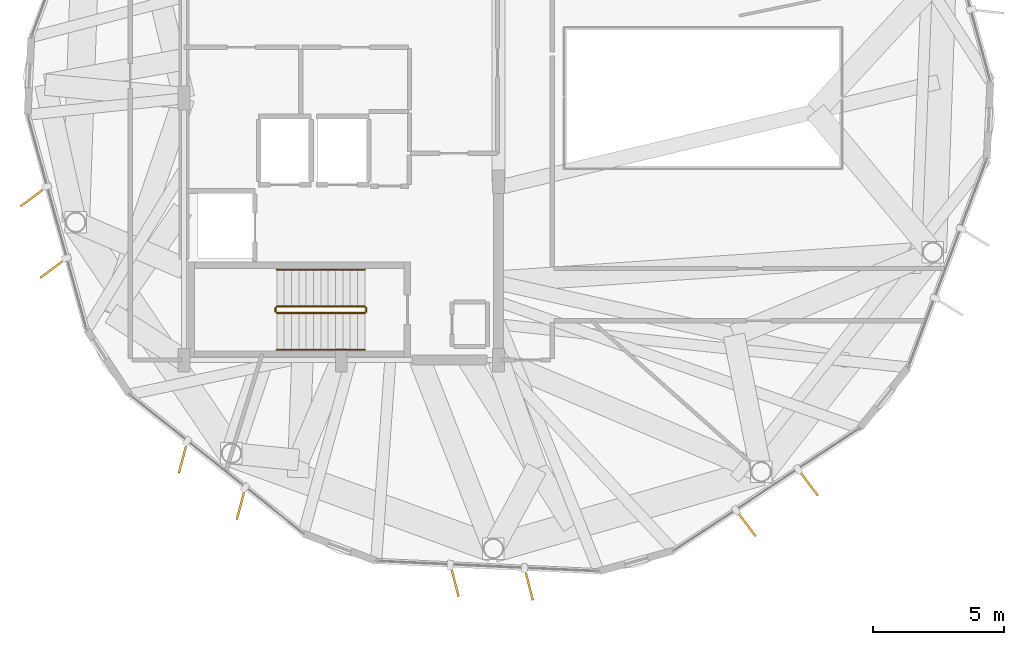
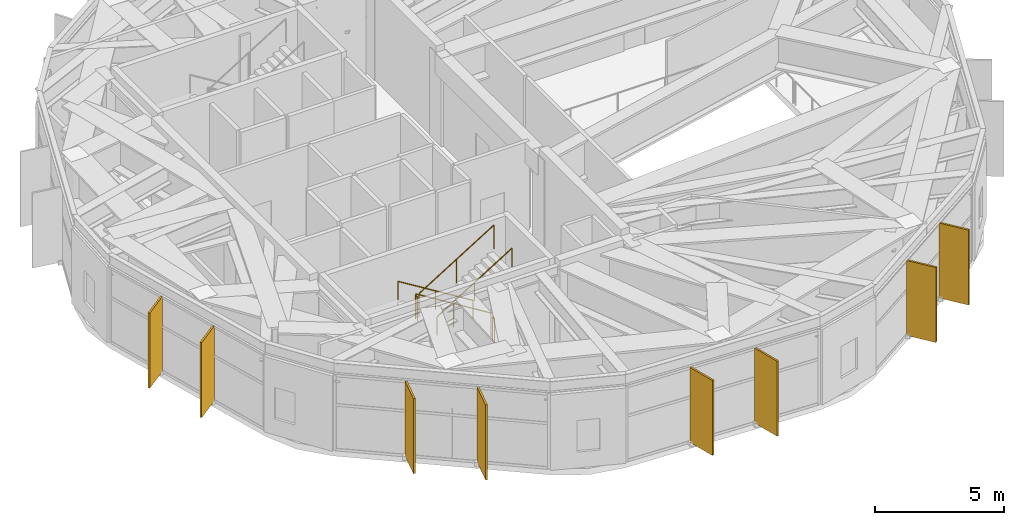
# One storey, part 25 of 27: 8 shading devices, 6 railings.
"""IFC4 building model written with IfcOpenShell, lengths in metres."""

from ifc_helpers import new_model, si_unit, direction, frame, origin, origin_2d, place, context, subcontext, project, spatial, rectangle, circle, extrude, material, layer, layer_set, type_object, element, save


model = new_model("IFC4")

# Units and contexts
model_context = context("Model", 3, precision=1e-05, world=origin(), true_north=direction((0.0, 1.0)))
body_context = subcontext(model_context, "Body", "Model", "MODEL_VIEW")
ifc_project = project(units=[si_unit("LENGTHUNIT", "METRE"), si_unit("AREAUNIT", "SQUARE_METRE"), si_unit("VOLUMEUNIT", "CUBIC_METRE"), si_unit("PLANEANGLEUNIT", "RADIAN"), si_unit("MASSUNIT", "GRAM", prefix="KILO")], contexts=[model_context])

# Site, building, storey
site_placement = place(None, origin())
site = spatial("IfcSite", under=ifc_project, at=site_placement, CompositionType="ELEMENT")
building_placement = place(site_placement, origin())
building = spatial("IfcBuilding", under=site, at=building_placement, Name="Soratama Intermodal Tower", CompositionType="ELEMENT")
storey_placement = place(building_placement, frame((0.0, 0.0, 288.550048828125)))
storey = spatial("IfcBuildingStorey", under=building, at=storey_placement, Name="L73", CompositionType="ELEMENT", Elevation=288.550048828125)

# Railings
ifc_material_1 = material(Name="Painted steel stair guardrail", Category="steel")
railing_type_1 = type_object("IfcRailingType", Name="RL-STAIR-GUARD", PredefinedType="GUARDRAIL", material=ifc_material_1)
railing_1_placement = place(storey_placement, frame((39.5, 17.050048828125, 0.173095703125)))
element("IfcRailing", 1, at=railing_1_placement, inside=storey, type_object=railing_type_1, Name="L73 ST-1 stair guard 1", PredefinedType="GUARDRAIL", context=body_context, shape_type="SweptSolid", body=[
    extrude(circle(Radius=0.02392578125, at=origin_2d()), frame((0.0, 0.0, 1.1259765625), z_axis=(-0.850623216509, 0.0, 0.525775754039), x_axis=(0.0, -1.0, 0.0)), (0.0, 0.0, 1.0), 3.9501953125),
    extrude(circle(Radius=0.02099609375, at=origin_2d()), origin(), (0.0, 0.0, 1.0), 1.101806640625),
    extrude(circle(Radius=0.02099609375, at=origin_2d()), frame((-1.68017578125, 0.0, 1.03857421875)), (0.0, 0.0, 1.0), 1.101806640625),
    extrude(circle(Radius=0.02099609375, at=origin_2d()), frame((-3.360107421875, 0.0, 2.076904296875)), (0.0, 0.0, 1.0), 1.101806640625),
])
railing_2_placement = place(storey_placement, frame((36.090087890625, 17.0, 2.25)))
element("IfcRailing", 2, at=railing_2_placement, inside=storey, type_object=railing_type_1, Name="L73 ST-1 stair guard 2", PredefinedType="GUARDRAIL", context=body_context, shape_type="SweptSolid", body=[
    extrude(circle(Radius=0.02392578125, at=origin_2d()), frame((0.0, 0.0, 1.1259765625), z_axis=(0.0, -1.0, 0.0), x_axis=(1.0, 0.0, 0.0)), (0.0, 0.0, 1.0), 0.14990234375),
    extrude(circle(Radius=0.02099609375, at=origin_2d()), origin(), (0.0, 0.0, 1.0), 1.101806640625),
    extrude(circle(Radius=0.02099609375, at=origin_2d()), frame((0.0, -0.14990234375, 0.0)), (0.0, 0.0, 1.0), 1.101806640625),
])
railing_3_placement = place(storey_placement, frame((36.139892578125, 16.800048828125, 2.423095703125)))
element("IfcRailing", 3, at=railing_3_placement, inside=storey, type_object=railing_type_1, Name="L73 ST-1 stair guard 3", PredefinedType="GUARDRAIL", context=body_context, shape_type="SweptSolid", body=[
    extrude(circle(Radius=0.02392578125, at=origin_2d()), frame((0.0, 0.0, 1.1259765625), z_axis=(0.850623216509, 0.0, 0.525775754039), x_axis=(0.0, 1.0, 0.0)), (0.0, 0.0, 1.0), 3.9501953125),
    extrude(circle(Radius=0.02099609375, at=origin_2d()), origin(), (0.0, 0.0, 1.0), 1.101806640625),
    extrude(circle(Radius=0.02099609375, at=origin_2d()), frame((1.68017578125, 0.0, 1.03857421875)), (0.0, 0.0, 1.0), 1.101806640625),
    extrude(circle(Radius=0.02099609375, at=origin_2d()), frame((3.360107421875, 0.0, 2.076904296875)), (0.0, 0.0, 1.0), 1.101806640625),
])
railing_4_placement = place(storey_placement, frame((39.550048828125, 17.0, 0.0)))
element("IfcRailing", 4, at=railing_4_placement, inside=storey, type_object=railing_type_1, Name="L73 ST-1 stair guard 4", PredefinedType="GUARDRAIL", context=body_context, shape_type="SweptSolid", body=[
    extrude(circle(Radius=0.02392578125, at=origin_2d()), frame((0.0, 0.0, 1.1259765625), z_axis=(0.0, -1.0, 0.0), x_axis=(1.0, 0.0, 0.0)), (0.0, 0.0, 1.0), 0.14990234375),
    extrude(circle(Radius=0.02099609375, at=origin_2d()), origin(), (0.0, 0.0, 1.0), 1.101806640625),
    extrude(circle(Radius=0.02099609375, at=origin_2d()), frame((0.0, -0.14990234375, 0.0)), (0.0, 0.0, 1.0), 1.101806640625),
])
ifc_material_2 = material(Name="Brushed stainless steel handrail", Category="steel")
railing_type_2 = type_object("IfcRailingType", Name="RL-STAIR-HAND", PredefinedType="HANDRAIL", material=ifc_material_2)
railing_5_placement = place(storey_placement, frame((39.5, 18.449951171875, 0.173095703125)))
element("IfcRailing", 5, at=railing_5_placement, inside=storey, type_object=railing_type_2, Name="L73 ST-1 stair handrail 1", PredefinedType="HANDRAIL", context=body_context, shape_type="SweptSolid", body=[
    extrude(circle(Radius=0.02392578125, at=origin_2d()), frame((0.0, 0.0, 0.8759765625), z_axis=(-0.850623216509, 0.0, 0.525775754039), x_axis=(0.0, -1.0, 0.0)), (0.0, 0.0, 1.0), 3.9501953125),
    extrude(circle(Radius=0.02099609375, at=origin_2d()), origin(), (0.0, 0.0, 1.0), 0.851806640625),
    extrude(circle(Radius=0.02099609375, at=origin_2d()), frame((-1.68017578125, 0.0, 1.03857421875)), (0.0, 0.0, 1.0), 0.851806640625),
    extrude(circle(Radius=0.02099609375, at=origin_2d()), frame((-3.360107421875, 0.0, 2.076904296875)), (0.0, 0.0, 1.0), 0.851806640625),
])
railing_6_placement = place(storey_placement, frame((36.139892578125, 15.39990234375, 2.423095703125)))
element("IfcRailing", 6, at=railing_6_placement, inside=storey, type_object=railing_type_2, Name="L73 ST-1 stair handrail 2", PredefinedType="HANDRAIL", context=body_context, shape_type="SweptSolid", body=[
    extrude(circle(Radius=0.02392578125, at=origin_2d()), frame((0.0, 0.0, 0.8759765625), z_axis=(0.850623216509, 0.0, 0.525775754039), x_axis=(0.0, 1.0, 0.0)), (0.0, 0.0, 1.0), 3.9501953125),
    extrude(circle(Radius=0.02099609375, at=origin_2d()), origin(), (0.0, 0.0, 1.0), 0.851806640625),
    extrude(circle(Radius=0.02099609375, at=origin_2d()), frame((1.68017578125, 0.0, 1.03857421875)), (0.0, 0.0, 1.0), 0.851806640625),
    extrude(circle(Radius=0.02099609375, at=origin_2d()), frame((3.360107421875, 0.0, 2.076904296875)), (0.0, 0.0, 1.0), 0.851806640625),
])

# Shading devices
ifc_material_3 = material(Name="Champagne anodised aluminium solar fin", Category="aluminium")
ifc_layer = layer(ifc_material_3, 0.080078125)
ifc_layer_set = layer_set([ifc_layer], Name="Champagne anodised aluminium solar fin")
shading_device_type = type_object("IfcShadingDeviceType", Name="SH-FIN-1250", PredefinedType="USERDEFINED", material=ifc_layer_set)
for number, where, z_axis, x_axis, name in (
    (7, (26.86669921875, 21.244140625, 0.02001953125), (0.0, 0.0, 1.0), (-0.801358227829, -0.598184746287, 0.0), "L73 Solar Fin F04-1"),
    (8, (27.6171875, 18.511962890625, 0.02001953125), (0.0, 0.0, 1.0), (-0.801358227829, -0.598184746287, 0.0), "L73 Solar Fin F04-2"),
    (9, (32.5625, 11.295654296875, 0.02001953125), (0.0, 0.0, 1.0), (-0.257807388214, -0.966196331282, 0.0), "L73 Solar Fin F05-1"),
    (10, (34.775634765625, 9.526611328125, 0.02001953125), (0.0, 0.0, 1.0), (-0.257807388214, -0.966196331282, 0.0), "L73 Solar Fin F05-2"),
    (11, (42.9208984375, 6.57958984375, 0.02001953125), (0.0, 0.0, 1.0), (0.247506354292, -0.968886270202, 0.0), "L73 Solar Fin F06-1"),
    (12, (45.751220703125, 6.448974609375, 0.02001953125), (0.0, 0.0, 1.0), (0.247506354292, -0.968886270202, 0.0), "L73 Solar Fin F06-2"),
    (13, (54.0380859375, 8.772705078125, 0.02001953125), (0.0, 0.0, 1.0), (0.603347183213, -0.797478637023, 0.0), "L73 Solar Fin F07-1"),
    (14, (56.404541015625, 10.330810546875, 0.02001953125), (0.0, 0.0, 1.0), (0.603347183213, -0.797478637023, 0.0), "L73 Solar Fin F07-2"),
):
    element("IfcShadingDevice", number, at=place(storey_placement, frame(where, z_axis=z_axis, x_axis=x_axis)), inside=storey, type_object=shading_device_type, Name=name, ObjectType="FIN", PredefinedType="USERDEFINED", context=body_context, shape_type="SweptSolid", body=[
        extrude(rectangle(XDim=1.25, YDim=0.080078125, at=origin_2d()), origin(), (0.0, 0.0, 1.0), 3.553955078125),
    ])

save(model, "model.ifc")
